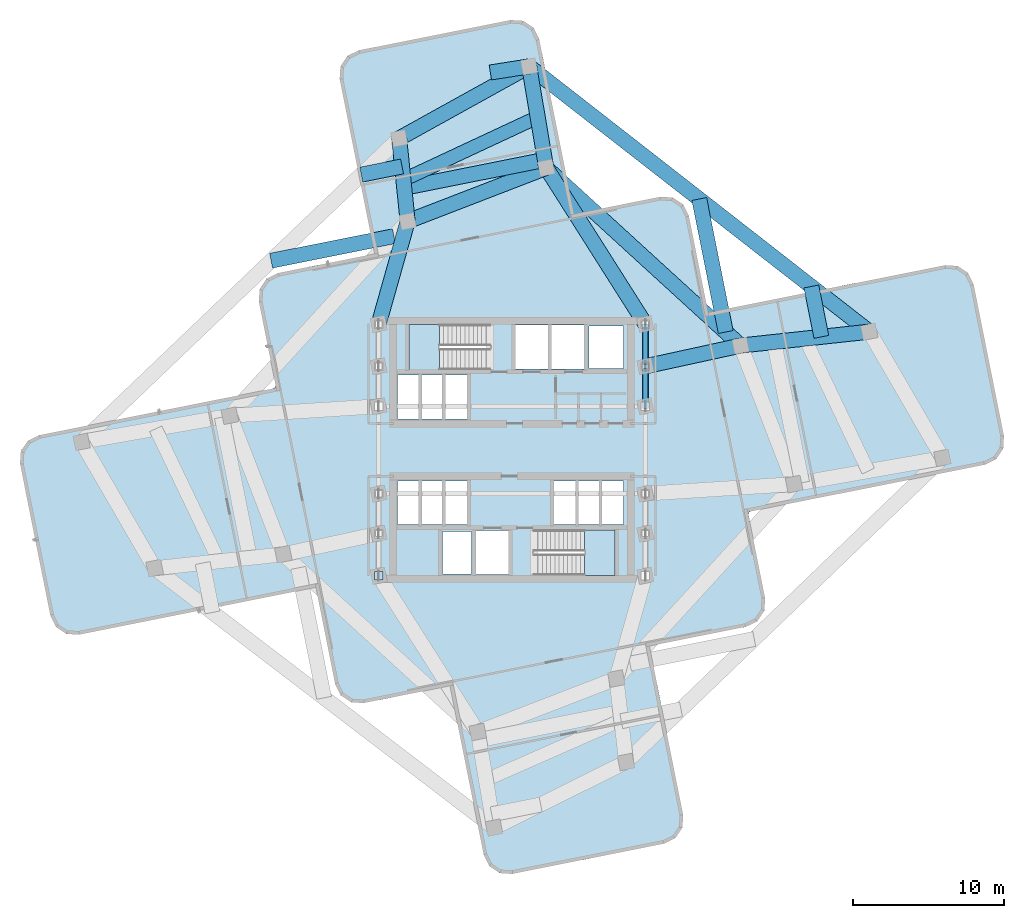
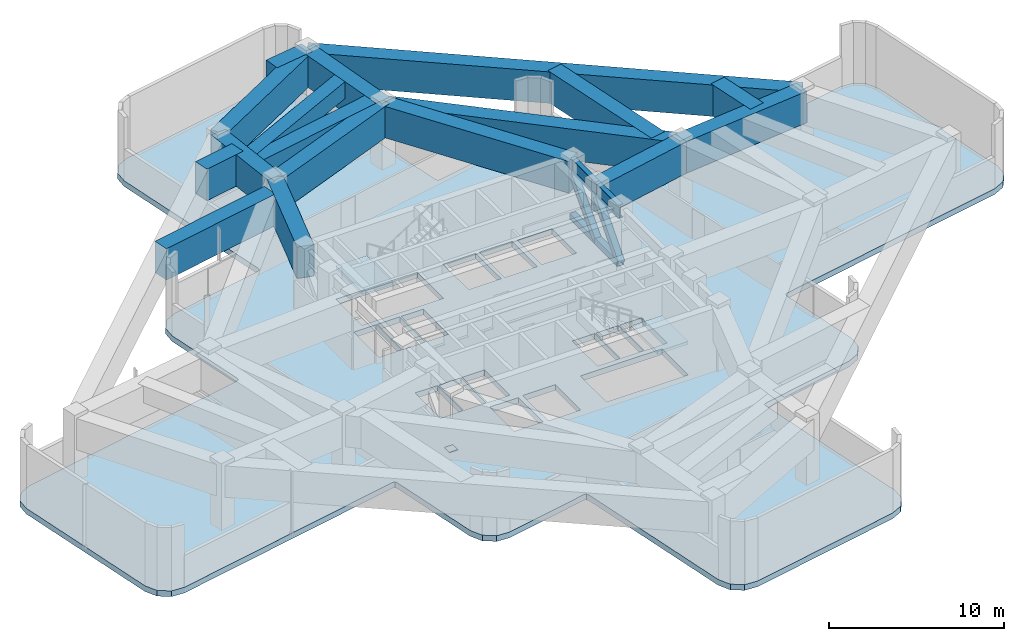
# One storey, part 2 of 7: 19 beams, 4 members, 3 slabs, 1 plate, 2 elements without a shape of their own.
"""IFC4 building model written with IfcOpenShell, lengths in metres."""

from ifc_helpers import new_model, si_unit, direction, frame, origin, origin_2d, place, context, subcontext, project, spatial, polyline, rectangle, hollow_rectangle, i_section, outline, extrude, material, layer, layer_set, material_profile, profile_set, type_object, element, aggregate, save


model = new_model("IFC4")

# Units and contexts
model_context = context("Model", 3, precision=1e-05, world=origin(), true_north=direction((0.0, 1.0)))
body_context = subcontext(model_context, "Body", "Model", "MODEL_VIEW")
ifc_project = project(units=[si_unit("LENGTHUNIT", "METRE"), si_unit("AREAUNIT", "SQUARE_METRE"), si_unit("VOLUMEUNIT", "CUBIC_METRE"), si_unit("PLANEANGLEUNIT", "RADIAN"), si_unit("MASSUNIT", "GRAM", prefix="KILO")], contexts=[model_context])

# Site, building, storey
site_placement = place(None, origin())
site = spatial("IfcSite", under=ifc_project, at=site_placement, CompositionType="ELEMENT")
building_placement = place(site_placement, origin())
building = spatial("IfcBuilding", under=site, at=building_placement, Name="Solmarez Civic Tower", CompositionType="ELEMENT")
storey_placement = place(building_placement, frame((0.0, 0.0, 107.280029296875)))
storey = spatial("IfcBuildingStorey", under=building, at=storey_placement, Name="L28", CompositionType="ELEMENT", Elevation=107.280029296875)

# Beams
ifc_material_1 = material(Name="Steel S355", Category="steel")
ifc_material_profile_1 = material_profile(ifc_material_1, i_section(OverallWidth=0.306884765625, OverallDepth=0.927001953125, WebThickness=0.019287109375, FlangeThickness=0.031982421875, at=origin_2d()), Name="W36X194")
ifc_profile_set_1 = profile_set([ifc_material_profile_1], Name="Steel S355")
beam_type_1 = type_object("IfcBeamType", Name="BM-PR-W36X194", PredefinedType="BEAM", material=ifc_profile_set_1)
beam_1_placement = place(storey_placement, frame((8.85009765625, 2.89990234375, 3.95703125), z_axis=(0.0, 1.0, 0.0), x_axis=(-1.0, 0.0, 0.0)))
element("IfcBeam", 1, at=beam_1_placement, inside=storey, type_object=beam_type_1, Name="L28 Primary Floor Beam BM-L28-HC7-HC8", PredefinedType="BEAM", context=body_context, shape_type="SweptSolid", body=[
    extrude(i_section(OverallWidth=0.306884765625, OverallDepth=0.927001953125, WebThickness=0.019287109375, FlangeThickness=0.031982421875, at=origin_2d()), origin(), (0.0, 0.0, 1.0), 2.650146484375),
])
beam_2_placement = place(storey_placement, frame((8.85009765625, 5.550048828125, 3.95703125), z_axis=(0.0, 1.0, 0.0), x_axis=(-1.0, 0.0, 0.0)))
element("IfcBeam", 2, at=beam_2_placement, inside=storey, type_object=beam_type_1, Name="L28 Primary Floor Beam BM-L28-HC8-HC11", PredefinedType="BEAM", context=body_context, shape_type="SweptSolid", body=[
    extrude(i_section(OverallWidth=0.306884765625, OverallDepth=0.927001953125, WebThickness=0.019287109375, FlangeThickness=0.031982421875, at=origin_2d()), origin(), (0.0, 0.0, 1.0), 2.800048828125),
])
ifc_material_2 = material(Name="Concrete C60/75", Category="concrete")
ifc_material_profile_2 = material_profile(ifc_material_2, rectangle(XDim=1.0, YDim=2.199951171875, at=origin_2d()), Name="RC1000X2200")
ifc_profile_set_2 = profile_set([ifc_material_profile_2], Name="Concrete C60/75")
beam_type_2 = type_object("IfcBeamType", Name="BM-TG-RC1000X2200", PredefinedType="USERDEFINED", material=ifc_profile_set_2)
beam_3_placement = place(storey_placement, frame((8.85009765625, 5.550048828125, 3.320068359375), z_axis=(0.977113347202, 0.212719314402, 0.0), x_axis=(-0.212719314402, 0.977113347202, 0.0)))
element("IfcBeam", 3, at=beam_3_placement, inside=storey, type_object=beam_type_2, Name="L28 Transfer Girder BM-L28-EA-R1B", ObjectType="TRANSFER_GIRDER", PredefinedType="USERDEFINED", context=body_context, shape_type="SweptSolid", body=[
    extrude(rectangle(XDim=1.0, YDim=2.199951171875, at=origin_2d()), origin(), (0.0, 0.0, 1.0), 6.47314453125),
])
beam_4_placement = place(storey_placement, frame((15.175048828125, 6.927001953125, 3.320068359375), z_axis=(0.994196782435, 0.107576753045, 0.0), x_axis=(-0.107576753045, 0.994196782435, 0.0)))
element("IfcBeam", 4, at=beam_4_placement, inside=storey, type_object=beam_type_2, Name="L28 Transfer Girder BM-L28-EA-R2B", ObjectType="TRANSFER_GIRDER", PredefinedType="USERDEFINED", context=body_context, shape_type="SweptSolid", body=[
    extrude(rectangle(XDim=1.0, YDim=2.199951171875, at=origin_2d()), origin(), (0.0, 0.0, 1.0), 8.58984375),
])
beam_5_placement = place(storey_placement, frame((8.85009765625, 8.35009765625, 3.320068359375), z_axis=(-0.535568299099, 0.84449191648, 0.0), x_axis=(-0.84449191648, -0.535568299099, 0.0)))
element("IfcBeam", 5, at=beam_5_placement, inside=storey, type_object=beam_type_2, Name="L28 Transfer Girder BM-L28-NA-R1A", ObjectType="TRANSFER_GIRDER", PredefinedType="USERDEFINED", context=body_context, shape_type="SweptSolid", body=[
    extrude(rectangle(XDim=1.0, YDim=2.199951171875, at=origin_2d()), origin(), (0.0, 0.0, 1.0), 12.284423828125),
])
beam_6_placement = place(storey_placement, frame((-8.85009765625, 8.35009765625, 3.320068359375), z_axis=(0.271213183726, 0.962519303169, 0.0), x_axis=(-0.962519303169, 0.271213183726, 0.0)))
element("IfcBeam", 6, at=beam_6_placement, inside=storey, type_object=beam_type_2, Name="L28 Transfer Girder BM-L28-NA-R1B", ObjectType="TRANSFER_GIRDER", PredefinedType="USERDEFINED", context=body_context, shape_type="SweptSolid", body=[
    extrude(rectangle(XDim=1.0, YDim=2.199951171875, at=origin_2d()), origin(), (0.0, 0.0, 1.0), 7.0908203125),
])
beam_7_placement = place(storey_placement, frame((2.27099609375, 18.72412109375, 3.320068359375), z_axis=(-0.932958297077, -0.359984466214, 0.0), x_axis=(0.359984466214, -0.932958297077, 0.0)))
element("IfcBeam", 7, at=beam_7_placement, inside=storey, type_object=beam_type_2, Name="L28 Transfer Girder BM-L28-NA-T1", ObjectType="TRANSFER_GIRDER", PredefinedType="USERDEFINED", context=body_context, shape_type="SweptSolid", body=[
    extrude(rectangle(XDim=1.0, YDim=2.199951171875, at=origin_2d()), origin(), (0.0, 0.0, 1.0), 9.85888671875),
])
beam_8_placement = place(storey_placement, frame((2.27099609375, 18.72412109375, 3.320068359375), z_axis=(-0.165813708215, 0.986157094062, 0.0), x_axis=(-0.986157094062, -0.165813708215, 0.0)))
element("IfcBeam", 8, at=beam_8_placement, inside=storey, type_object=beam_type_2, Name="L28 Transfer Girder BM-L28-NA-R2A", ObjectType="TRANSFER_GIRDER", PredefinedType="USERDEFINED", context=body_context, shape_type="SweptSolid", body=[
    extrude(rectangle(XDim=1.0, YDim=2.199951171875, at=origin_2d()), origin(), (0.0, 0.0, 1.0), 6.827392578125),
])
beam_9_placement = place(storey_placement, frame((-6.927001953125, 15.175048828125, 3.320068359375), z_axis=(-0.101583208843, 0.994827046115, 0.0), x_axis=(-0.994827046115, -0.101583208843, 0.0)))
element("IfcBeam", 9, at=beam_9_placement, inside=storey, type_object=beam_type_2, Name="L28 Transfer Girder BM-L28-NA-R2B", ObjectType="TRANSFER_GIRDER", PredefinedType="USERDEFINED", context=body_context, shape_type="SweptSolid", body=[
    extrude(rectangle(XDim=1.0, YDim=2.199951171875, at=origin_2d()), origin(), (0.0, 0.0, 1.0), 5.532470703125),
])
beam_10_placement = place(storey_placement, frame((1.138916015625, 25.45703125, 3.320068359375), z_axis=(-0.874811531682, -0.484463398035, 0.0), x_axis=(0.484463398035, -0.874811531682, 0.0)))
element("IfcBeam", 10, at=beam_10_placement, inside=storey, type_object=beam_type_2, Name="L28 Transfer Girder BM-L28-NA-T2", ObjectType="TRANSFER_GIRDER", PredefinedType="USERDEFINED", context=body_context, shape_type="SweptSolid", body=[
    extrude(rectangle(XDim=1.0, YDim=2.199951171875, at=origin_2d()), origin(), (0.0, 0.0, 1.0), 9.862548828125),
])
beam_11_placement = place(storey_placement, frame((15.175048828125, 6.927001953125, 3.320068359375), z_axis=(-0.738053646973, 0.674742035292, 0.0), x_axis=(-0.674742035292, -0.738053646973, 0.0)))
element("IfcBeam", 11, at=beam_11_placement, inside=storey, type_object=beam_type_2, Name="L28 Transfer Girder TG-L28-RING-EA12-NA11", ObjectType="TRANSFER_GIRDER", PredefinedType="USERDEFINED", context=body_context, shape_type="SweptSolid", body=[
    extrude(rectangle(XDim=1.0, YDim=2.199951171875, at=origin_2d()), origin(), (0.0, 0.0, 1.0), 17.48388671875),
])
beam_12_placement = place(storey_placement, frame((23.715087890625, 7.85107421875, 3.320068359375), z_axis=(-0.788560860784, 0.614956721111, 0.0), x_axis=(-0.614956721111, -0.788560860784, 0.0)))
element("IfcBeam", 12, at=beam_12_placement, inside=storey, type_object=beam_type_2, Name="L28 Transfer Girder TG-L28-RING-EA22-NA21", ObjectType="TRANSFER_GIRDER", PredefinedType="USERDEFINED", context=body_context, shape_type="SweptSolid", body=[
    extrude(rectangle(XDim=1.0, YDim=2.199951171875, at=origin_2d()), origin(), (0.0, 0.0, 1.0), 28.629638671875),
])
beam_13_placement = place(storey_placement, frame((14.18701171875, 7.8310546875, 3.320068359375), z_axis=(-0.195625569833, 0.980678661146, 0.0), x_axis=(-0.980678661146, -0.195625569833, 0.0)))
element("IfcBeam", 13, at=beam_13_placement, inside=storey, type_object=beam_type_2, Name="L28 Transfer Girder TG-L28-EA12", ObjectType="TRANSFER_GIRDER", PredefinedType="USERDEFINED", context=body_context, shape_type="SweptSolid", body=[
    extrude(rectangle(XDim=1.0, YDim=2.199951171875, at=origin_2d()), origin(), (0.0, 0.0, 1.0), 8.996826171875),
])
beam_14_placement = place(storey_placement, frame((20.533935546875, 7.507080078125, 3.320068359375), z_axis=(-0.19555173581, 0.980693386651, 0.0), x_axis=(-0.980693386651, -0.19555173581, 0.0)))
element("IfcBeam", 14, at=beam_14_placement, inside=storey, type_object=beam_type_2, Name="L28 Transfer Girder TG-L28-EA22", ObjectType="TRANSFER_GIRDER", PredefinedType="USERDEFINED", context=body_context, shape_type="SweptSolid", body=[
    extrude(rectangle(XDim=1.0, YDim=2.199951171875, at=origin_2d()), origin(), (0.0, 0.0, 1.0), 3.410888671875),
])
beam_15_placement = place(storey_placement, frame((2.180908203125, 19.259033203125, 3.320068359375), z_axis=(-0.980680182096, -0.1956179451, 0.0), x_axis=(0.1956179451, -0.980680182096, 0.0)))
element("IfcBeam", 15, at=beam_15_placement, inside=storey, type_object=beam_type_2, Name="L28 Transfer Girder TG-L28-NA11", ObjectType="TRANSFER_GIRDER", PredefinedType="USERDEFINED", context=body_context, shape_type="SweptSolid", body=[
    extrude(rectangle(XDim=1.0, YDim=2.199951171875, at=origin_2d()), origin(), (0.0, 0.0, 1.0), 9.518798828125),
])
beam_16_placement = place(storey_placement, frame((-7.8310546875, 14.18701171875, 3.320068359375), z_axis=(-0.980683273531, -0.195602446344, 0.0), x_axis=(0.195602446344, -0.980683273531, 0.0)))
element("IfcBeam", 16, at=beam_16_placement, inside=storey, type_object=beam_type_2, Name="L28 Transfer Girder TG-L28-NA12", ObjectType="TRANSFER_GIRDER", PredefinedType="USERDEFINED", context=body_context, shape_type="SweptSolid", body=[
    extrude(rectangle(XDim=1.0, YDim=2.199951171875, at=origin_2d()), origin(), (0.0, 0.0, 1.0), 8.317626953125),
])
beam_17_placement = place(storey_placement, frame((1.138916015625, 25.45703125, 3.320068359375), z_axis=(-0.987862968099, -0.155327899164, 0.0), x_axis=(0.155327899164, -0.987862968099, 0.0)))
element("IfcBeam", 17, at=beam_17_placement, inside=storey, type_object=beam_type_2, Name="L28 Transfer Girder TG-L28-NA21", ObjectType="TRANSFER_GIRDER", PredefinedType="USERDEFINED", context=body_context, shape_type="SweptSolid", body=[
    extrude(rectangle(XDim=1.0, YDim=2.199951171875, at=origin_2d()), origin(), (0.0, 0.0, 1.0), 2.607666015625),
])
beam_18_placement = place(storey_placement, frame((-7.299072265625, 18.81494140625, 3.320068359375), z_axis=(-0.980658871155, -0.195724751691, 0.0), x_axis=(0.195724751691, -0.980658871155, 0.0)))
element("IfcBeam", 18, at=beam_18_placement, inside=storey, type_object=beam_type_2, Name="L28 Transfer Girder TG-L28-NA22", ObjectType="TRANSFER_GIRDER", PredefinedType="USERDEFINED", context=body_context, shape_type="SweptSolid", body=[
    extrude(rectangle(XDim=1.0, YDim=2.199951171875, at=origin_2d()), origin(), (0.0, 0.0, 1.0), 2.75927734375),
])
ifc_material_profile_3 = material_profile(ifc_material_2, rectangle(XDim=0.89990234375, YDim=1.179931640625, at=origin_2d()), Name="RC900X1180")
ifc_profile_set_3 = profile_set([ifc_material_profile_3], Name="Concrete C60/75")
beam_type_3 = type_object("IfcBeamType", Name="BM-TG-RC900X1180", PredefinedType="USERDEFINED", material=ifc_profile_set_3)
beam_19_placement = place(storey_placement, frame((1.705078125, 22.090087890625, 3.830078125), z_axis=(-0.906041066986, -0.423189774138, 0.0), x_axis=(0.423189774138, -0.906041066986, 0.0)))
element("IfcBeam", 19, at=beam_19_placement, inside=storey, type_object=beam_type_3, Name="L28 Transfer Girder JS-L28-NA-M2", ObjectType="TRANSFER_GIRDER", PredefinedType="USERDEFINED", context=body_context, shape_type="SweptSolid", body=[
    extrude(rectangle(XDim=0.89990234375, YDim=1.179931640625, at=origin_2d()), origin(), (0.0, 0.0, 1.0), 9.83740234375),
])

# Members
ifc_material_profile_4 = material_profile(ifc_material_1, hollow_rectangle(XDim=0.39990234375, YDim=0.39990234375, WallThickness=0.02001953125, at=origin_2d()), Name="HSS400X400X20")
ifc_profile_set_4 = profile_set([ifc_material_profile_4], Name="Steel S355")
member_type_1 = type_object("IfcMemberType", Name="MEM-BRC-HSS400", PredefinedType="BRACE", material=ifc_profile_set_4)
member_1_placement = place(storey_placement, frame((8.85009765625, 2.89990234375, 0.349853515625), z_axis=(0.0, 0.659579381967, 0.751634910634), x_axis=(-1.0, 0.0, 0.0)))
element("IfcMember", 20, at=member_1_placement, inside=storey, type_object=member_type_1, Name="L28 Belt Truss Diagonal Brace 7", PredefinedType="BRACE", context=body_context, shape_type="SweptSolid", body=[
    extrude(hollow_rectangle(XDim=0.39990234375, YDim=0.39990234375, WallThickness=0.02001953125, at=origin_2d()), origin(), (0.0, 0.0, 1.0), 4.017822265625),
])
member_2_placement = place(storey_placement, frame((8.85009765625, 5.550048828125, 0.349853515625), z_axis=(0.0, 0.679896097265, 0.733308459602), x_axis=(-1.0, 0.0, 0.0)))
element("IfcMember", 21, at=member_2_placement, inside=storey, type_object=member_type_1, Name="L28 Belt Truss Diagonal Brace 8", PredefinedType="BRACE", context=body_context, shape_type="SweptSolid", body=[
    extrude(hollow_rectangle(XDim=0.39990234375, YDim=0.39990234375, WallThickness=0.02001953125, at=origin_2d()), origin(), (0.0, 0.0, 1.0), 4.118408203125),
])
ifc_material_profile_5 = material_profile(ifc_material_1, hollow_rectangle(XDim=0.39990234375, YDim=0.39990234375, WallThickness=0.02001953125, at=origin_2d()), Name="HSS400X400X20")
ifc_profile_set_5 = profile_set([ifc_material_profile_5], Name="Steel S355")
member_type_2 = type_object("IfcMemberType", Name="MEM-CHD-HSS400", PredefinedType="CHORD", material=ifc_profile_set_5)
member_3_placement = place(storey_placement, frame((8.85009765625, 2.89990234375, 0.349853515625), z_axis=(0.0, 1.0, 0.0), x_axis=(-1.0, 0.0, 0.0)))
element("IfcMember", 22, at=member_3_placement, inside=storey, type_object=member_type_2, Name="L28 Belt Truss Bottom Chord 7", PredefinedType="CHORD", context=body_context, shape_type="SweptSolid", body=[
    extrude(hollow_rectangle(XDim=0.39990234375, YDim=0.39990234375, WallThickness=0.02001953125, at=origin_2d()), origin(), (0.0, 0.0, 1.0), 2.650146484375),
])
member_4_placement = place(storey_placement, frame((8.85009765625, 5.550048828125, 0.349853515625), z_axis=(0.0, 1.0, 0.0), x_axis=(-1.0, 0.0, 0.0)))
element("IfcMember", 23, at=member_4_placement, inside=storey, type_object=member_type_2, Name="L28 Belt Truss Bottom Chord 8", PredefinedType="CHORD", context=body_context, shape_type="SweptSolid", body=[
    extrude(hollow_rectangle(XDim=0.39990234375, YDim=0.39990234375, WallThickness=0.02001953125, at=origin_2d()), origin(), (0.0, 0.0, 1.0), 2.800048828125),
])

# Plate
ifc_layer_1 = layer(ifc_material_1, 0.028076171875)
ifc_layer_set_1 = layer_set([ifc_layer_1], Name="Steel S355")
plate_type = type_object("IfcPlateType", Name="PLT-CAP-540", PredefinedType="USERDEFINED", material=ifc_layer_set_1)
plate_placement = place(storey_placement, frame((-8.85009765625, -8.35009765625, 0.3359375), z_axis=(0.0, 0.0, 1.0), x_axis=(1.0, 0.0, 0.0)))
element("IfcPlate", 24, at=plate_placement, inside=storey, type_object=plate_type, Name="Steel Member End Cap Plate CAP-CHD-L28-01-0", ObjectType="CAP_PLATE", PredefinedType="USERDEFINED", context=body_context, shape_type="SweptSolid", body=[
    extrude(rectangle(XDim=0.56005859375, YDim=0.56005859375, at=origin_2d()), origin(), (0.0, 0.0, 1.0), 0.028076171875),
])

# Stair, slab
ifc_material_3 = material(Name="Concrete C50/60", Category="concrete")
stair_type = type_object("IfcStairType", Name="STAIR-DOGLEG-140W-26R-1800", PredefinedType="HALF_TURN_STAIR", material=ifc_material_3)
stair_1_placement = place(storey_placement, origin())
stair_1 = element("IfcStair", 25, at=stair_1_placement, inside=storey, type_object=stair_type, Name="L28 North Core Protected Exit Stair ST-1", PredefinedType="HALF_TURN_STAIR")
ifc_layer_2 = layer(ifc_material_3, 0.199951171875)
ifc_layer_set_2 = layer_set([ifc_layer_2], Name="Concrete C50/60")
slab_type_1 = type_object("IfcSlabType", Name="SLAB-LANDING-200", PredefinedType="LANDING", material=ifc_layer_set_2)
slab_1_placement = place(storey_placement, frame((0.0, 0.0, 2.139892578125)))
slab_1 = element("IfcSlab", 26, at=slab_1_placement, type_object=slab_type_1, Name="ST-1 landing 1", PredefinedType="LANDING", context=body_context, shape_type="SweptSolid", body=[
    extrude(outline(polyline([(-4.81005859375, 8.320068359375), (-6.85009765625, 8.320068359375), (-6.85009765625, 5.320068359375), (-4.81005859375, 5.320068359375), (-4.81005859375, 8.320068359375)])), origin(), (0.0, 0.0, 1.0), 0.2001953125),
])
aggregate(stair_1, [slab_1])

stair_2_placement = place(storey_placement, origin())
stair_2 = element("IfcStair", 27, at=stair_2_placement, inside=storey, type_object=stair_type, Name="L28 South Core Protected Exit Stair ST-2", PredefinedType="HALF_TURN_STAIR")
slab_2_placement = place(storey_placement, frame((0.0, 0.0, 2.139892578125)))
slab_2 = element("IfcSlab", 28, at=slab_2_placement, type_object=slab_type_1, Name="ST-2 landing 1", PredefinedType="LANDING", context=body_context, shape_type="SweptSolid", body=[
    extrude(outline(polyline([(4.81005859375, -8.320068359375), (6.85009765625, -8.320068359375), (6.85009765625, -5.320068359375), (4.81005859375, -5.320068359375), (4.81005859375, -8.320068359375)])), origin(), (0.0, 0.0, 1.0), 0.2001953125),
])
aggregate(stair_2, [slab_2])

# Slab
ifc_layer_3 = layer(ifc_material_2, 0.39990234375)
ifc_layer_set_3 = layer_set([ifc_layer_3], Name="Concrete C60/75")
slab_type_2 = type_object("IfcSlabType", Name="SLAB-TRANS-400", PredefinedType="FLOOR", material=ifc_layer_set_3)
slab_3_placement = place(storey_placement, frame((0.0, 0.0, -0.400146484375)))
element("IfcSlab", 29, at=slab_3_placement, inside=storey, type_object=slab_type_2, Name="L28 Structural Slab", PredefinedType="FLOOR", context=body_context, shape_type="SweptSolid", body=[
    extrude(outline(polyline([(-12.97607421875, -9.3291015625), (-11.736083984375, -15.5458984375), (-11.368896484375, -16.2880859375), (-10.679931640625, -16.748046875), (-9.85400390625, -16.802001953125), (-4.322998046875, -15.698974609375), (-4.152099609375, -15.7099609375), (-4.075927734375, -15.864013671875), (-1.876953125, -26.886962890625), (-1.510009765625, -27.62890625), (-0.822021484375, -28.089111328125), (0.0048828125, -28.14306640625), (10.10595703125, -26.1279296875), (10.84912109375, -25.760986328125), (11.30810546875, -25.072021484375), (11.362060546875, -24.24609375), (9.1640625, -13.22412109375), (9.175048828125, -13.052001953125), (9.3291015625, -12.97607421875), (15.5458984375, -11.736083984375), (16.2880859375, -11.368896484375), (16.748046875, -10.679931640625), (16.802001953125, -9.85400390625), (15.698974609375, -4.322998046875), (15.7099609375, -4.152099609375), (15.864013671875, -4.075927734375), (31.39794921875, -0.97705078125), (32.139892578125, -0.611083984375), (32.60009765625, 0.077880859375), (32.654052734375, 0.905029296875), (30.638916015625, 11.006103515625), (30.27197265625, 11.748046875), (29.583984375, 12.2080078125), (28.757080078125, 12.261962890625), (13.22412109375, 9.1640625), (13.052001953125, 9.175048828125), (12.97607421875, 9.3291015625), (11.736083984375, 15.5458984375), (11.368896484375, 16.2880859375), (10.679931640625, 16.748046875), (9.85400390625, 16.802001953125), (4.322998046875, 15.698974609375), (4.152099609375, 15.7099609375), (4.075927734375, 15.864013671875), (1.799072265625, 27.279052734375), (1.431884765625, 28.02099609375), (0.742919921875, 28.48095703125), (-0.0830078125, 28.534912109375), (-10.18408203125, 26.52001953125), (-10.927001953125, 26.154052734375), (-11.386962890625, 25.465087890625), (-11.43994140625, 24.637939453125), (-9.1640625, 13.22412109375), (-9.175048828125, 13.052001953125), (-9.3291015625, 12.97607421875), (-15.5458984375, 11.736083984375), (-16.2880859375, 11.368896484375), (-16.748046875, 10.679931640625), (-16.802001953125, 9.85400390625), (-15.698974609375, 4.322998046875), (-15.7099609375, 4.152099609375), (-15.864013671875, 4.075927734375), (-31.39794921875, 0.97705078125), (-32.139892578125, 0.611083984375), (-32.60009765625, -0.077880859375), (-32.654052734375, -0.905029296875), (-30.638916015625, -11.006103515625), (-30.27197265625, -11.748046875), (-29.583984375, -12.2080078125), (-28.757080078125, -12.261962890625), (-13.22412109375, -9.1640625), (-13.052001953125, -9.175048828125), (-12.97607421875, -9.3291015625)]), holes=[polyline([(-1.449951171875, 8.320068359375), (-6.85009765625, 8.320068359375), (-6.85009765625, 5.320068359375), (-1.449951171875, 5.320068359375), (-1.449951171875, 8.320068359375)]), polyline([(1.449951171875, -8.320068359375), (6.85009765625, -8.320068359375), (6.85009765625, -5.320068359375), (1.449951171875, -5.320068359375), (1.449951171875, -8.320068359375)]), polyline([(0.219970703125, 5.360107421875), (2.3798828125, 5.360107421875), (2.3798828125, 8.280029296875), (0.219970703125, 8.280029296875), (0.219970703125, 5.360107421875)]), polyline([(2.6201171875, 5.360107421875), (4.780029296875, 5.360107421875), (4.780029296875, 8.280029296875), (2.6201171875, 8.280029296875), (2.6201171875, 5.360107421875)]), polyline([(-2.3798828125, -8.280029296875), (-0.219970703125, -8.280029296875), (-0.219970703125, -5.360107421875), (-2.3798828125, -5.360107421875), (-2.3798828125, -8.280029296875)]), polyline([(2.800048828125, -4.9599609375), (4.280029296875, -4.9599609375), (4.280029296875, -2.06005859375), (2.800048828125, -2.06005859375), (2.800048828125, -4.9599609375)]), polyline([(4.360107421875, -4.9599609375), (5.840087890625, -4.9599609375), (5.840087890625, -2.06005859375), (4.360107421875, -2.06005859375), (4.360107421875, -4.9599609375)]), polyline([(5.919921875, -4.9599609375), (7.39990234375, -4.9599609375), (7.39990234375, -2.06005859375), (5.919921875, -2.06005859375), (5.919921875, -4.9599609375)]), polyline([(-7.60009765625, -4.9599609375), (-6.1201171875, -4.9599609375), (-6.1201171875, -2.06005859375), (-7.60009765625, -2.06005859375), (-7.60009765625, -4.9599609375)]), polyline([(-6.0400390625, -4.9599609375), (-4.56005859375, -4.9599609375), (-4.56005859375, -2.06005859375), (-6.0400390625, -2.06005859375), (-6.0400390625, -4.9599609375)]), polyline([(-4.47998046875, -4.9599609375), (-3.0, -4.9599609375), (-3.0, -2.06005859375), (-4.47998046875, -2.06005859375), (-4.47998046875, -4.9599609375)]), polyline([(-7.60009765625, 2.06005859375), (-6.1201171875, 2.06005859375), (-6.1201171875, 4.9599609375), (-7.60009765625, 4.9599609375), (-7.60009765625, 2.06005859375)]), polyline([(-6.0400390625, 2.06005859375), (-4.56005859375, 2.06005859375), (-4.56005859375, 4.9599609375), (-6.0400390625, 4.9599609375), (-6.0400390625, 2.06005859375)]), polyline([(-4.47998046875, 2.06005859375), (-3.0, 2.06005859375), (-3.0, 4.9599609375), (-4.47998046875, 4.9599609375), (-4.47998046875, 2.06005859375)]), polyline([(5.10009765625, 5.419921875), (7.39990234375, 5.419921875), (7.39990234375, 8.219970703125), (5.10009765625, 8.219970703125), (5.10009765625, 5.419921875)]), polyline([(-4.60009765625, -8.219970703125), (-2.699951171875, -8.219970703125), (-2.699951171875, -5.419921875), (-4.60009765625, -5.419921875), (-4.60009765625, -8.219970703125)])]), origin(), (0.0, 0.0, 1.0), 0.400146484375),
])

save(model, "model.ifc")
